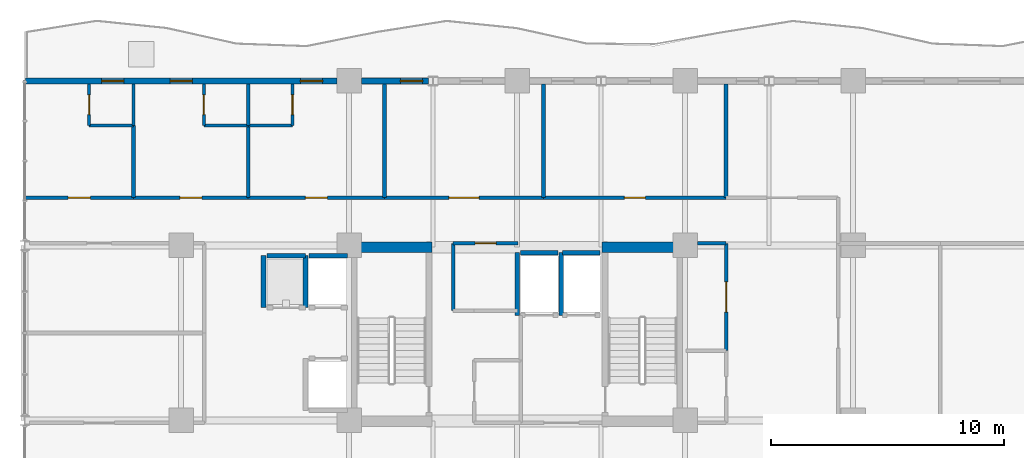
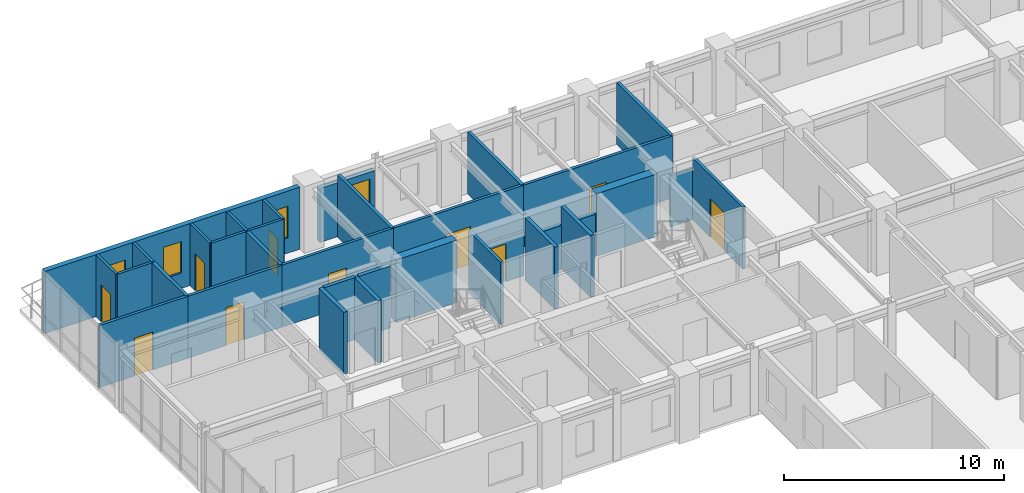
# One storey, part 14 of 20: 34 walls, 10 doors, 4 windows, 14 openings.
"""IFC4 building model written with IfcOpenShell, lengths in metres."""

import ifcopenshell
import ifcopenshell.guid

model = None  # the IFC model being written
_history = None  # IfcOwnerHistory: only IFC2X3 demands one
_inside = {}  # id of a spatial element -> (the spatial element, [elements in it])
_under = {}  # id of a project, library or spatial element -> (it, [spatial elements below it])
_declared = {}  # id of a project -> (the project, [libraries it declares])
_typed = {}  # id of a type object -> (the type object, [elements of that type])
_made_of = {}  # id of a material, layer set ... -> (it, [elements and type objects made of it])


def new_model(schema):
    """Start an empty IFC model of exactly this schema.

    Asked for "IFC4X3", IfcOpenShell would pick the latest addendum, in which some entities
    have other attributes; the version numbers below select the first issue.
    IFC2X3 requires an IfcOwnerHistory on every rooted entity: one is made here for all.
    """
    global model, _history
    if schema == "IFC4X3":
        model = ifcopenshell.file(schema_version=(4, 3, 0, 0))
    else:
        model = ifcopenshell.file(schema=schema)
    _inside.clear()
    _under.clear()
    _declared.clear()
    _typed.clear()
    _made_of.clear()
    _history = None
    if model.schema == "IFC2X3":
        org = make("IfcOrganization", Name="unknown")
        user = make(
            "IfcPersonAndOrganization",
            ThePerson=make("IfcPerson", FamilyName="unknown"),
            TheOrganization=org,
        )
        app = make(
            "IfcApplication",
            ApplicationDeveloper=org,
            Version="unknown",
            ApplicationFullName="unknown",
            ApplicationIdentifier="unknown",
        )
        _history = make(
            "IfcOwnerHistory",
            OwningUser=user,
            OwningApplication=app,
            ChangeAction="ADDED",
            CreationDate=0,
        )
    return model


def make(cls, **values):
    """One entity of the class cls with the attributes given. An attribute that is None is left unset."""
    return model.create_entity(
        cls, **{name: value for name, value in values.items() if value is not None}
    )


def rooted(cls, **values):
    """An entity with a GlobalId (a new one), such as an element, a storey or a relation."""
    return make(cls, GlobalId=ifcopenshell.guid.new(), OwnerHistory=_history, **values)


def si_unit(unit_type, name, prefix=None):
    """IfcSIUnit, for example si_unit("LENGTHUNIT", "METRE", prefix="MILLI")."""
    return make("IfcSIUnit", UnitType=unit_type, Prefix=prefix, Name=name)


def assignment(units):
    """IfcUnitAssignment: the units of a project."""
    return None if units is None else make("IfcUnitAssignment", Units=units)


def point(xyz):
    """IfcCartesianPoint."""
    return None if xyz is None else make("IfcCartesianPoint", Coordinates=xyz)


def direction(xyz):
    """IfcDirection."""
    return None if xyz is None else make("IfcDirection", DirectionRatios=xyz)


def frame(location, z_axis=None, x_axis=None):
    """IfcAxis2Placement3D, a coordinate frame: its origin and axes. An axis left out is left unset."""
    return make(
        "IfcAxis2Placement3D",
        Location=point(location),
        Axis=direction(z_axis),
        RefDirection=direction(x_axis),
    )


def frame_2d(location, x_axis=None):
    """IfcAxis2Placement2D, a coordinate frame in the plane: its origin and x axis."""
    return make(
        "IfcAxis2Placement2D", Location=point(location), RefDirection=direction(x_axis)
    )


def origin():
    """The frame at (0, 0, 0) with its axes left unset."""
    return frame((0.0, 0.0, 0.0))


def place(relative_to, where):
    """IfcLocalPlacement: puts the frame where relative to a parent placement (None: the world)."""
    return make(
        "IfcLocalPlacement", PlacementRelTo=relative_to, RelativePlacement=where
    )


def context(
    kind, dimensions, precision=None, world=None, true_north=None, identifier=None
):
    """IfcGeometricRepresentationContext, for example the 3D "Model" context."""
    return make(
        "IfcGeometricRepresentationContext",
        ContextIdentifier=identifier,
        ContextType=kind,
        CoordinateSpaceDimension=dimensions,
        Precision=precision,
        WorldCoordinateSystem=world,
        TrueNorth=true_north,
    )


def subcontext(parent, identifier, kind, view, scale=None):
    """IfcGeometricRepresentationSubContext, for example "Body" below "Model"."""
    return make(
        "IfcGeometricRepresentationSubContext",
        ContextIdentifier=identifier,
        ContextType=kind,
        ParentContext=parent,
        TargetScale=scale,
        TargetView=view,
    )


def project(units=None, contexts=None):
    """IfcProject with its units and contexts."""
    return rooted(
        "IfcProject",
        Name="project",
        RepresentationContexts=contexts,
        UnitsInContext=assignment(units),
    )


def spatial(cls, under=None, at=None, **own):
    """A site, building, storey or space (cls), placed at a placement, below another one or the project."""
    s = rooted(cls, ObjectPlacement=at, **own)
    if under is not None:
        _under.setdefault(under.id(), (under, []))[1].append(s)
    return s


def profile(cls, at=None, kind="AREA", **sizes):
    """A parametric profile (cls). Its sizes go by their IFC names, for example OverallWidth=200.0."""
    return make(cls, ProfileType=kind, Position=at, **sizes)


def rectangle(**sizes):
    """IfcRectangleProfileDef."""
    return profile("IfcRectangleProfileDef", **sizes)


def extrude(swept, where, along, depth):
    """IfcExtrudedAreaSolid: the profile swept, set in the frame where, extruded along a direction by depth."""
    return make(
        "IfcExtrudedAreaSolid",
        SweptArea=swept,
        Position=where,
        ExtrudedDirection=direction(along),
        Depth=depth,
    )


def shape(context_of_items, identifier, shape_type, items):
    """IfcShapeRepresentation: the items that make up one representation, for example the "Body"."""
    return make(
        "IfcShapeRepresentation",
        ContextOfItems=context_of_items,
        RepresentationIdentifier=identifier,
        RepresentationType=shape_type,
        Items=items,
    )


def material(Name=None, Category=None):
    """IfcMaterial."""
    return make("IfcMaterial", Name=Name, Category=Category)


def layer(
    of_material, thickness, ventilated=None, Name=None, Category=None, Priority=None
):
    """IfcMaterialLayer: one layer of a wall or slab, of a material (None: an air gap)."""
    return make(
        "IfcMaterialLayer",
        Material=of_material,
        LayerThickness=thickness,
        IsVentilated=ventilated,
        Name=Name,
        Category=Category,
        Priority=Priority,
    )


def layer_set(layers, Name=None):
    """IfcMaterialLayerSet."""
    return make("IfcMaterialLayerSet", MaterialLayers=layers, LayerSetName=Name)


def made_of(thing, what):
    """Note that an element or type object is made of a material, layer set ...; save() writes the relation."""
    if what is not None:
        _made_of.setdefault(what.id(), (what, []))[1].append(thing)
    return thing


def type_object(cls, material=None, **own):
    """A type object (cls), such as IfcWallType, which elements share."""
    return made_of(rooted(cls, **own), material)


def element(
    cls,
    number,
    at=None,
    inside=None,
    cuts=None,
    type_object=None,
    material=None,
    context=None,
    identifier="Body",
    shape_type=None,
    held_by="IfcProductDefinitionShape",
    body=None,
    shapes=None,
    **own,
):
    """One element of the class cls, such as IfcWall. Its Tag is "e" and its number.

    at: its placement. inside: the storey or other place that contains it. cuts: it is an
    opening in that element (IfcRelVoidsElement). A single representation is given by context,
    identifier, shape_type and body (its items); several are given by shapes. held_by: the class
    of the entity that holds the representations. save() writes the other relations.
    """
    e = rooted(cls, Tag="e%d" % number, ObjectPlacement=at, **own)
    if body is not None:
        shapes = [shape(context, identifier, shape_type, body)]
    if shapes is not None:
        e.Representation = make(held_by, Representations=shapes)
    if inside is not None:
        _inside.setdefault(inside.id(), (inside, []))[1].append(e)
    if cuts is not None:
        rooted(
            "IfcRelVoidsElement", RelatingBuildingElement=cuts, RelatedOpeningElement=e
        )
    if type_object is not None:
        _typed.setdefault(type_object.id(), (type_object, []))[1].append(e)
    return made_of(e, material)


def fill(opening, filler):
    """IfcRelFillsElement: the door or window that sits in an opening."""
    return rooted(
        "IfcRelFillsElement",
        RelatingOpeningElement=opening,
        RelatedBuildingElement=filler,
    )


def aggregate(whole, parts):
    """IfcRelAggregates: a whole, such as a stair, and the parts it consists of."""
    return rooted("IfcRelAggregates", RelatingObject=whole, RelatedObjects=parts)


def save(model, path):
    """Write the relations noted so far, then the file.

    IfcRelAggregates (storeys below a building ...), IfcRelContainedInSpatialStructure (elements
    in a storey), IfcRelDefinesByType, IfcRelAssociatesMaterial and IfcRelDeclares: one each for
    every whole, place, type object, material and project.
    """
    for whole, parts in _under.values():
        aggregate(whole, parts)
    for where, things in _inside.values():
        rooted(
            "IfcRelContainedInSpatialStructure",
            RelatedElements=things,
            RelatingStructure=where,
        )
    for kind, things in _typed.values():
        rooted("IfcRelDefinesByType", RelatedObjects=things, RelatingType=kind)
    for what, things in _made_of.values():
        rooted("IfcRelAssociatesMaterial", RelatedObjects=things, RelatingMaterial=what)
    for by, libraries in _declared.values():
        rooted("IfcRelDeclares", RelatingContext=by, RelatedDefinitions=libraries)
    model.write(path)


model = new_model("IFC4")

# Units and contexts
model_context = context("Model", 3, precision=1e-05, world=origin(), true_north=direction((0.0, 1.0)))
body_context = subcontext(model_context, "Body", "Model", "MODEL_VIEW")
ifc_project = project(units=[si_unit("LENGTHUNIT", "METRE"), si_unit("AREAUNIT", "SQUARE_METRE"), si_unit("VOLUMEUNIT", "CUBIC_METRE"), si_unit("PLANEANGLEUNIT", "RADIAN"), si_unit("MASSUNIT", "GRAM", prefix="KILO")], contexts=[model_context])

# Site, building, storey
site_placement = place(None, origin())
site = spatial("IfcSite", under=ifc_project, at=site_placement, CompositionType="ELEMENT")
building_placement = place(site_placement, origin())
building = spatial("IfcBuilding", under=site, at=building_placement, Name="Kaliganga Portal Commons", CompositionType="ELEMENT")
storey_placement = place(building_placement, frame((0.0, 0.0, 155.0)))
storey = spatial("IfcBuildingStorey", under=building, at=storey_placement, Name="L39", CompositionType="ELEMENT", Elevation=155.0)

# Walls
ifc_material_1 = material(Name="Concrete C60/75", Category="concrete")
ifc_layer_1 = layer(ifc_material_1, 0.449951171875)
ifc_layer_set_1 = layer_set([ifc_layer_1], Name="Concrete C60/75")
wall_type_1 = type_object("IfcWallType", Name="WL-CORE-450", PredefinedType="SHEAR", material=ifc_layer_set_1)
for number, where, z_axis, x_axis, name in (
    (1, (14.75, 36.074951171875, 0.0), (0.0, 0.0, 1.0), (1.0, 0.0, 0.0), "Core A N-West Shear Wall L39"),
    (2, (25.25, 36.074951171875, 0.0), (0.0, 0.0, 1.0), (1.0, 0.0, 0.0), "Core A N-East Shear Wall L39"),
):
    element("IfcWall", number, at=place(storey_placement, frame(where, z_axis=z_axis, x_axis=x_axis)), inside=storey, type_object=wall_type_1, Name=name, PredefinedType="SHEAR", context=body_context, shape_type="SweptSolid", body=[
        extrude(rectangle(XDim=3.199951171875, YDim=0.449951171875, at=frame_2d((1.60009765625, 0.0))), origin(), (0.0, 0.0, 1.0), 3.4599609375),
    ])

# Wall, opening, window
ifc_material_2 = material(Name="Insulated Aluminium-Clad Spandrel Assembly", Category="aluminium")
ifc_layer_2 = layer(ifc_material_2, 0.260009765625)
ifc_layer_set_2 = layer_set([ifc_layer_2], Name="Insulated Aluminium-Clad Spandrel Assembly")
wall_type_2 = type_object("IfcWallType", Name="WL-EXT-SPAND-260", PredefinedType="STANDARD", material=ifc_layer_set_2)
wall_1_placement = place(storey_placement, frame((14.926025390625, 43.199951171875, 0.0), z_axis=(0.0, 0.0, 1.0), x_axis=(1.0, 0.0, 0.0)))
wall_1 = element("IfcWall", 3, at=wall_1_placement, inside=storey, type_object=wall_type_2, Name="Exterior Envelope Wall L39 P1-E02-S8", PredefinedType="STANDARD", context=body_context, shape_type="SweptSolid", body=[
    extrude(rectangle(XDim=2.87109375, YDim=0.260009765625, at=frame_2d((1.435546875, 0.0))), origin(), (0.0, 0.0, 1.0), 2.989990234375),
])
opening_1_placement = place(wall_1_placement, frame((1.672607421875, 0.0, 0.85009765625)))
opening_1 = element("IfcOpeningElement", 4, at=opening_1_placement, cuts=wall_1, Name="Opening W-04", PredefinedType="OPENING", context=body_context, shape_type="SweptSolid", body=[
    extrude(rectangle(XDim=0.949951171875, YDim=1.75, at=frame_2d((0.47509765625, 0.875))), frame((0.0, 0.14013671875, 0.0), z_axis=(0.0, -1.0, 0.0), x_axis=(1.0, 0.0, 0.0)), (0.0, 0.0, 1.0), 0.280029296875),
])
ifc_material_3 = material(Name="Thermally Broken Aluminium and Low-E Double Glazing", Category="aluminium")
window_type = type_object("IfcWindowType", Name="WIN-NARROW-950", PartitioningType="SINGLE_PANEL", PredefinedType="WINDOW", material=ifc_material_3)
window_1_placement = place(opening_1_placement, origin())
window_1 = element("IfcWindow", 5, at=window_1_placement, inside=storey, type_object=window_type, Name="Facade Window L39-P1E02S8-N2", OverallHeight=1.75, OverallWidth=0.949951171875, PartitioningType="SINGLE_PANEL", PredefinedType="WINDOW", context=body_context, shape_type="SweptSolid", body=[
    extrude(rectangle(XDim=0.949951171875, YDim=1.75, at=frame_2d((0.47509765625, 0.875))), frame((0.0, 0.030029296875, 0.0), z_axis=(0.0, -1.0, 0.0), x_axis=(1.0, 0.0, 0.0)), (0.0, 0.0, 1.0), 0.06005859375),
])
fill(opening_1, window_1)

# Wall, openings, windows
wall_2_placement = place(storey_placement, frame((0.537109375, 43.199951171875, 0.0), z_axis=(0.0, 0.0, 1.0), x_axis=(1.0, 0.0, 0.0)))
wall_2 = element("IfcWall", 6, at=wall_2_placement, inside=storey, type_object=wall_type_2, Name="Exterior Envelope Wall L39 P1-E02-S9", PredefinedType="STANDARD", context=body_context, shape_type="SweptSolid", body=[
    extrude(rectangle(XDim=13.3369140625, YDim=0.260009765625, at=frame_2d((6.66845703125, 0.0))), origin(), (0.0, 0.0, 1.0), 3.43994140625),
])
opening_2_placement = place(wall_2_placement, frame((6.193603515625, 0.0, 0.85009765625)))
opening_2 = element("IfcOpeningElement", 7, at=opening_2_placement, cuts=wall_2, Name="Opening W-04", PredefinedType="OPENING", context=body_context, shape_type="SweptSolid", body=[
    extrude(rectangle(XDim=0.949951171875, YDim=1.75, at=frame_2d((0.47509765625, 0.875))), frame((0.0, 0.14013671875, 0.0), z_axis=(0.0, -1.0, 0.0), x_axis=(1.0, 0.0, 0.0)), (0.0, 0.0, 1.0), 0.280029296875),
])
opening_3_placement = place(wall_2_placement, frame((3.259521484375, 0.0, 0.85009765625)))
opening_3 = element("IfcOpeningElement", 8, at=opening_3_placement, cuts=wall_2, Name="Opening W-04", PredefinedType="OPENING", context=body_context, shape_type="SweptSolid", body=[
    extrude(rectangle(XDim=0.949951171875, YDim=1.75, at=frame_2d((0.47509765625, 0.875))), frame((0.0, 0.14013671875, 0.0), z_axis=(0.0, -1.0, 0.0), x_axis=(1.0, 0.0, 0.0)), (0.0, 0.0, 1.0), 0.280029296875),
])
opening_4_placement = place(wall_2_placement, frame((11.77734375, 0.0, 0.85009765625)))
opening_4 = element("IfcOpeningElement", 9, at=opening_4_placement, cuts=wall_2, Name="Opening W-04", PredefinedType="OPENING", context=body_context, shape_type="SweptSolid", body=[
    extrude(rectangle(XDim=0.949951171875, YDim=1.75, at=frame_2d((0.47509765625, 0.875))), frame((0.0, 0.14013671875, 0.0), z_axis=(0.0, -1.0, 0.0), x_axis=(1.0, 0.0, 0.0)), (0.0, 0.0, 1.0), 0.280029296875),
])
window_2_placement = place(opening_2_placement, origin())
window_2 = element("IfcWindow", 10, at=window_2_placement, inside=storey, type_object=window_type, Name="Facade Window L39-P1E02S9-N0", OverallHeight=1.75, OverallWidth=0.949951171875, PartitioningType="SINGLE_PANEL", PredefinedType="WINDOW", context=body_context, shape_type="SweptSolid", body=[
    extrude(rectangle(XDim=0.949951171875, YDim=1.75, at=frame_2d((0.47509765625, 0.875))), frame((0.0, 0.030029296875, 0.0), z_axis=(0.0, -1.0, 0.0), x_axis=(1.0, 0.0, 0.0)), (0.0, 0.0, 1.0), 0.06005859375),
])
fill(opening_2, window_2)
window_3_placement = place(opening_3_placement, origin())
window_3 = element("IfcWindow", 11, at=window_3_placement, inside=storey, type_object=window_type, Name="Facade Window L39-P1E02S9-N3", OverallHeight=1.75, OverallWidth=0.949951171875, PartitioningType="SINGLE_PANEL", PredefinedType="WINDOW", context=body_context, shape_type="SweptSolid", body=[
    extrude(rectangle(XDim=0.949951171875, YDim=1.75, at=frame_2d((0.47509765625, 0.875))), frame((0.0, 0.030029296875, 0.0), z_axis=(0.0, -1.0, 0.0), x_axis=(1.0, 0.0, 0.0)), (0.0, 0.0, 1.0), 0.06005859375),
])
fill(opening_3, window_3)
window_4_placement = place(opening_4_placement, origin())
window_4 = element("IfcWindow", 12, at=window_4_placement, inside=storey, type_object=window_type, Name="Facade Window L39-P1E02S9-AN03", OverallHeight=1.75, OverallWidth=0.949951171875, PartitioningType="SINGLE_PANEL", PredefinedType="WINDOW", context=body_context, shape_type="SweptSolid", body=[
    extrude(rectangle(XDim=0.949951171875, YDim=1.75, at=frame_2d((0.47509765625, 0.875))), frame((0.0, 0.030029296875, 0.0), z_axis=(0.0, -1.0, 0.0), x_axis=(1.0, 0.0, 0.0)), (0.0, 0.0, 1.0), 0.06005859375),
])
fill(opening_4, window_4)

# Wall, opening, door
ifc_material_4 = material(Name="Fire-Rated Gypsum Board on Steel Stud", Category="steel")
ifc_layer_3 = layer(ifc_material_4, 0.14990234375)
ifc_layer_set_3 = layer_set([ifc_layer_3], Name="Fire-Rated Gypsum Board on Steel Stud")
wall_type_3 = type_object("IfcWallType", Name="WL-PART-CORR-150", PredefinedType="PARTITIONING", material=ifc_layer_set_3)
wall_3_placement = place(storey_placement, frame((22.739990234375, 38.199951171875, 0.0), z_axis=(0.0, 0.0, 1.0), x_axis=(1.0, 0.0, 0.0)))
wall_3 = element("IfcWall", 13, at=wall_3_placement, inside=storey, type_object=wall_type_3, Name="Interior Partition L39-017", PredefinedType="PARTITIONING", context=body_context, shape_type="SweptSolid", body=[
    extrude(rectangle(XDim=7.820068359375, YDim=0.14990234375, at=frame_2d((3.91015625, 0.0))), origin(), (0.0, 0.0, 1.0), 3.43994140625),
])
opening_5_placement = place(wall_3_placement, frame((3.4599609375, 0.0, 0.0)))
opening_5 = element("IfcOpeningElement", 14, at=opening_5_placement, cuts=wall_3, Name="Opening RD-01", PredefinedType="OPENING", context=body_context, shape_type="SweptSolid", body=[
    extrude(rectangle(XDim=0.89990234375, YDim=2.080078125, at=frame_2d((0.449951171875, 1.0400390625))), frame((0.0, 0.0849609375, 0.0), z_axis=(0.0, -1.0, 0.0), x_axis=(1.0, 0.0, 0.0)), (0.0, 0.0, 1.0), 0.169921875),
])
ifc_material_5 = material(Name="Engineered Timber Flush Door", Category="wood")
door_type_1 = type_object("IfcDoorType", Name="DR-ROOM-900", OperationType="NOTDEFINED", PredefinedType="DOOR", material=ifc_material_5)
door_1_placement = place(opening_5_placement, origin())
door_1 = element("IfcDoor", 15, at=door_1_placement, inside=storey, type_object=door_type_1, Name="Interior Door L39-AN05", OperationType="SINGLE_SWING_LEFT", OverallHeight=2.080078125, OverallWidth=0.89990234375, PredefinedType="DOOR", context=body_context, shape_type="SweptSolid", body=[
    extrude(rectangle(XDim=0.89990234375, YDim=2.080078125, at=frame_2d((0.449951171875, 1.0400390625))), frame((0.0, 0.02490234375, 0.0), z_axis=(0.0, -1.0, 0.0), x_axis=(1.0, 0.0, 0.0)), (0.0, 0.0, 1.0), 0.050048828125),
])
fill(opening_5, door_1)

wall_4_placement = place(storey_placement, frame((15.919921875, 38.199951171875, 0.0), z_axis=(0.0, 0.0, 1.0), x_axis=(1.0, 0.0, 0.0)))
wall_4 = element("IfcWall", 16, at=wall_4_placement, inside=storey, type_object=wall_type_3, Name="Interior Partition L39-027", PredefinedType="PARTITIONING", context=body_context, shape_type="SweptSolid", body=[
    extrude(rectangle(XDim=6.820068359375, YDim=0.14990234375, at=frame_2d((3.41015625, 0.0))), origin(), (0.0, 0.0, 1.0), 3.43994140625),
])
opening_6_placement = place(wall_4_placement, frame((2.760009765625, 0.0, 0.0)))
opening_6 = element("IfcOpeningElement", 17, at=opening_6_placement, cuts=wall_4, Name="Opening RD-03", PredefinedType="OPENING", context=body_context, shape_type="SweptSolid", body=[
    extrude(rectangle(XDim=1.300048828125, YDim=2.1201171875, at=frame_2d((0.64990234375, 1.06005859375))), frame((0.0, 0.0849609375, 0.0), z_axis=(0.0, -1.0, 0.0), x_axis=(1.0, 0.0, 0.0)), (0.0, 0.0, 1.0), 0.169921875),
])
ifc_material_6 = material(Name="Glazed Timber Seminar Vision Door", Category="wood")
door_type_2 = type_object("IfcDoorType", Name="DR-STUDY-1300", OperationType="DOUBLE_DOOR_SINGLE_SWING", PredefinedType="DOOR", material=ifc_material_6)
door_2_placement = place(opening_6_placement, origin())
door_2 = element("IfcDoor", 18, at=door_2_placement, inside=storey, type_object=door_type_2, Name="Interior Door L39-AN04", OperationType="DOUBLE_DOOR_SINGLE_SWING", OverallHeight=2.1201171875, OverallWidth=1.300048828125, PredefinedType="DOOR", context=body_context, shape_type="SweptSolid", body=[
    extrude(rectangle(XDim=1.300048828125, YDim=2.1201171875, at=frame_2d((0.64990234375, 1.06005859375))), frame((0.0, 0.02490234375, 0.0), z_axis=(0.0, -1.0, 0.0), x_axis=(1.0, 0.0, 0.0)), (0.0, 0.0, 1.0), 0.050048828125),
])
fill(opening_6, door_2)

wall_5_placement = place(storey_placement, frame((10.080078125, 38.199951171875, 0.0), z_axis=(0.0, 0.0, 1.0), x_axis=(1.0, 0.0, 0.0)))
wall_5 = element("IfcWall", 19, at=wall_5_placement, inside=storey, type_object=wall_type_3, Name="Interior Partition L39-029", PredefinedType="PARTITIONING", context=body_context, shape_type="SweptSolid", body=[
    extrude(rectangle(XDim=5.83984375, YDim=0.14990234375, at=frame_2d((2.919921875, 0.0))), origin(), (0.0, 0.0, 1.0), 3.43994140625),
])
opening_7_placement = place(wall_5_placement, frame((2.445068359375, 0.0, 0.0)))
opening_7 = element("IfcOpeningElement", 20, at=opening_7_placement, cuts=wall_5, Name="Opening UD-01", PredefinedType="OPENING", context=body_context, shape_type="SweptSolid", body=[
    extrude(rectangle(XDim=0.949951171875, YDim=2.10009765625, at=frame_2d((0.47509765625, 1.050048828125))), frame((0.0, 0.0849609375, 0.0), z_axis=(0.0, -1.0, 0.0), x_axis=(1.0, 0.0, 0.0)), (0.0, 0.0, 1.0), 0.169921875),
])
ifc_material_7 = material(Name="Solid-Core Timber Acoustic Fire Door", Category="wood")
door_type_3 = type_object("IfcDoorType", Name="DR-UNIT-950", OperationType="NOTDEFINED", PredefinedType="DOOR", material=ifc_material_7)
door_3_placement = place(opening_7_placement, origin())
door_3 = element("IfcDoor", 21, at=door_3_placement, inside=storey, type_object=door_type_3, Name="Interior Door L39-AN03", OperationType="SINGLE_SWING_RIGHT", OverallHeight=2.10009765625, OverallWidth=0.949951171875, PredefinedType="DOOR", context=body_context, shape_type="SweptSolid", body=[
    extrude(rectangle(XDim=0.949951171875, YDim=2.10009765625, at=frame_2d((0.47509765625, 1.050048828125))), frame((0.0, 0.02490234375, 0.0), z_axis=(0.0, -1.0, 0.0), x_axis=(1.0, 0.0, 0.0)), (0.0, 0.0, 1.0), 0.050048828125),
])
fill(opening_7, door_3)

wall_6_placement = place(storey_placement, frame((5.159912109375, 38.199951171875, 0.0), z_axis=(0.0, 0.0, 1.0), x_axis=(1.0, 0.0, 0.0)))
wall_6 = element("IfcWall", 22, at=wall_6_placement, inside=storey, type_object=wall_type_3, Name="Interior Partition L39-038", PredefinedType="PARTITIONING", context=body_context, shape_type="SweptSolid", body=[
    extrude(rectangle(XDim=4.920166015625, YDim=0.14990234375, at=frame_2d((2.4599609375, 0.0))), origin(), (0.0, 0.0, 1.0), 3.43994140625),
])
opening_8_placement = place(wall_6_placement, frame((1.985107421875, 0.0, 0.0)))
opening_8 = element("IfcOpeningElement", 23, at=opening_8_placement, cuts=wall_6, Name="Opening UD-01", PredefinedType="OPENING", context=body_context, shape_type="SweptSolid", body=[
    extrude(rectangle(XDim=0.949951171875, YDim=2.10009765625, at=frame_2d((0.47509765625, 1.050048828125))), frame((0.0, 0.0849609375, 0.0), z_axis=(0.0, -1.0, 0.0), x_axis=(1.0, 0.0, 0.0)), (0.0, 0.0, 1.0), 0.169921875),
])
door_4_placement = place(opening_8_placement, origin())
door_4 = element("IfcDoor", 24, at=door_4_placement, inside=storey, type_object=door_type_3, Name="Interior Door L39-AN02", OperationType="SINGLE_SWING_RIGHT", OverallHeight=2.10009765625, OverallWidth=0.949951171875, PredefinedType="DOOR", context=body_context, shape_type="SweptSolid", body=[
    extrude(rectangle(XDim=0.949951171875, YDim=2.10009765625, at=frame_2d((0.47509765625, 1.050048828125))), frame((0.0, 0.02490234375, 0.0), z_axis=(0.0, -1.0, 0.0), x_axis=(1.0, 0.0, 0.0)), (0.0, 0.0, 1.0), 0.050048828125),
])
fill(opening_8, door_4)

wall_7_placement = place(storey_placement, frame((0.52001953125, 38.199951171875, 0.0), z_axis=(0.0, 0.0, 1.0), x_axis=(1.0, 0.0, 0.0)))
wall_7 = element("IfcWall", 25, at=wall_7_placement, inside=storey, type_object=wall_type_3, Name="Interior Partition L39-042", PredefinedType="PARTITIONING", context=body_context, shape_type="SweptSolid", body=[
    extrude(rectangle(XDim=4.639892578125, YDim=0.14990234375, at=frame_2d((2.31982421875, 0.0))), origin(), (0.0, 0.0, 1.0), 3.43994140625),
])
opening_9_placement = place(wall_7_placement, frame((1.844970703125, 0.0, 0.0)))
opening_9 = element("IfcOpeningElement", 26, at=opening_9_placement, cuts=wall_7, Name="Opening UD-01", PredefinedType="OPENING", context=body_context, shape_type="SweptSolid", body=[
    extrude(rectangle(XDim=0.949951171875, YDim=2.10009765625, at=frame_2d((0.47509765625, 1.050048828125))), frame((0.0, 0.0849609375, 0.0), z_axis=(0.0, -1.0, 0.0), x_axis=(1.0, 0.0, 0.0)), (0.0, 0.0, 1.0), 0.169921875),
])
door_5_placement = place(opening_9_placement, origin())
door_5 = element("IfcDoor", 27, at=door_5_placement, inside=storey, type_object=door_type_3, Name="Interior Door L39-AN01", OperationType="SINGLE_SWING_LEFT", OverallHeight=2.10009765625, OverallWidth=0.949951171875, PredefinedType="DOOR", context=body_context, shape_type="SweptSolid", body=[
    extrude(rectangle(XDim=0.949951171875, YDim=2.10009765625, at=frame_2d((0.47509765625, 1.050048828125))), frame((0.0, 0.02490234375, 0.0), z_axis=(0.0, -1.0, 0.0), x_axis=(1.0, 0.0, 0.0)), (0.0, 0.0, 1.0), 0.050048828125),
])
fill(opening_9, door_5)

wall_8_placement = place(storey_placement, frame((30.56005859375, 31.639892578125, 0.0), z_axis=(0.0, 0.0, 1.0), x_axis=(0.0, 1.0, 0.0)))
wall_8 = element("IfcWall", 28, at=wall_8_placement, inside=storey, type_object=wall_type_3, Name="Interior Partition L39-043", PredefinedType="PARTITIONING", context=body_context, shape_type="SweptSolid", body=[
    extrude(rectangle(XDim=4.60009765625, YDim=0.14990234375, at=frame_2d((2.300048828125, 0.0))), origin(), (0.0, 0.0, 1.0), 3.43994140625),
])
opening_10_placement = place(wall_8_placement, frame((1.64990234375, 0.0, 0.0)))
opening_10 = element("IfcOpeningElement", 29, at=opening_10_placement, cuts=wall_8, Name="Opening RD-03", PredefinedType="OPENING", context=body_context, shape_type="SweptSolid", body=[
    extrude(rectangle(XDim=1.300048828125, YDim=2.1201171875, at=frame_2d((0.64990234375, 1.06005859375))), frame((0.0, 0.0849609375, 0.0), z_axis=(0.0, -1.0, 0.0), x_axis=(1.0, 0.0, 0.0)), (0.0, 0.0, 1.0), 0.169921875),
])
door_6_placement = place(opening_10_placement, origin())
door_6 = element("IfcDoor", 30, at=door_6_placement, inside=storey, type_object=door_type_2, Name="Interior Door L39-CSRV_A2", OperationType="DOUBLE_DOOR_SINGLE_SWING", OverallHeight=2.1201171875, OverallWidth=1.300048828125, PredefinedType="DOOR", context=body_context, shape_type="SweptSolid", body=[
    extrude(rectangle(XDim=1.300048828125, YDim=2.1201171875, at=frame_2d((0.64990234375, 1.06005859375))), frame((0.0, 0.02490234375, 0.0), z_axis=(0.0, -1.0, 0.0), x_axis=(1.0, 0.0, 0.0)), (0.0, 0.0, 1.0), 0.050048828125),
])
fill(opening_10, door_6)

# Wall
wall_9_placement = place(storey_placement, frame((18.860107421875, 33.360107421875, 0.0), z_axis=(0.0, 0.0, 1.0), x_axis=(0.0, 1.0, 0.0)))
element("IfcWall", 31, at=wall_9_placement, inside=storey, type_object=wall_type_3, Name="Interior Partition L39-052", PredefinedType="PARTITIONING", context=body_context, shape_type="SweptSolid", body=[
    extrude(rectangle(XDim=2.8798828125, YDim=0.14990234375, at=frame_2d((1.43994140625, 0.0))), origin(), (0.0, 0.0, 1.0), 3.43994140625),
])

# Wall, opening, door
wall_10_placement = place(storey_placement, frame((18.860107421875, 36.239990234375, 0.0), z_axis=(0.0, 0.0, 1.0), x_axis=(1.0, 0.0, 0.0)))
wall_10 = element("IfcWall", 32, at=wall_10_placement, inside=storey, type_object=wall_type_3, Name="Interior Partition L39-053", PredefinedType="PARTITIONING", context=body_context, shape_type="SweptSolid", body=[
    extrude(rectangle(XDim=2.77978515625, YDim=0.14990234375, at=frame_2d((1.389892578125, 0.0))), origin(), (0.0, 0.0, 1.0), 2.43994140625),
])
opening_11_placement = place(wall_10_placement, frame((0.93994140625, 0.0, 0.0)))
opening_11 = element("IfcOpeningElement", 33, at=opening_11_placement, cuts=wall_10, Name="Opening RD-01", PredefinedType="OPENING", context=body_context, shape_type="SweptSolid", body=[
    extrude(rectangle(XDim=0.89990234375, YDim=2.080078125, at=frame_2d((0.449951171875, 1.0400390625))), frame((0.0, 0.0849609375, 0.0), z_axis=(0.0, -1.0, 0.0), x_axis=(1.0, 0.0, 0.0)), (0.0, 0.0, 1.0), 0.169921875),
])
door_7_placement = place(opening_11_placement, origin())
door_7 = element("IfcDoor", 34, at=door_7_placement, inside=storey, type_object=door_type_1, Name="Interior Door L39-CREC_A1", OperationType="SINGLE_SWING_LEFT", OverallHeight=2.080078125, OverallWidth=0.89990234375, PredefinedType="DOOR", context=body_context, shape_type="SweptSolid", body=[
    extrude(rectangle(XDim=0.89990234375, YDim=2.080078125, at=frame_2d((0.449951171875, 1.0400390625))), frame((0.0, 0.02490234375, 0.0), z_axis=(0.0, -1.0, 0.0), x_axis=(1.0, 0.0, 0.0)), (0.0, 0.0, 1.0), 0.050048828125),
])
fill(opening_11, door_7)

# Walls
wall_11_placement = place(storey_placement, frame((29.324951171875, 36.239990234375, 0.0), z_axis=(0.0, 0.0, 1.0), x_axis=(1.0, 0.0, 0.0)))
element("IfcWall", 35, at=wall_11_placement, inside=storey, type_object=wall_type_3, Name="Interior Partition L39-066", PredefinedType="PARTITIONING", context=body_context, shape_type="SweptSolid", body=[
    extrude(rectangle(XDim=1.235107421875, YDim=0.14990234375, at=frame_2d((0.61767578125, 0.0))), origin(), (0.0, 0.0, 1.0), 2.840087890625),
])
ifc_material_8 = material(Name="Twin-Stud Acoustic Gypsum Partition", Category="gypsum")
ifc_layer_4 = layer(ifc_material_8, 0.1650390625)
ifc_layer_set_4 = layer_set([ifc_layer_4], Name="Twin-Stud Acoustic Gypsum Partition")
wall_type_4 = type_object("IfcWallType", Name="WL-PART-UNIT-165", PredefinedType="PARTITIONING", material=ifc_layer_set_4)
for number, where, z_axis, x_axis, name in (
    (36, (15.919921875, 38.199951171875, 0.0), (0.0, 0.0, 1.0), (0.0, 1.0, 0.0), "Interior Partition L39-078"),
    (37, (22.739990234375, 38.199951171875, 0.0), (0.0, 0.0, 1.0), (0.0, 1.0, 0.0), "Interior Partition L39-080"),
    (38, (30.56005859375, 38.199951171875, 0.0), (0.0, 0.0, 1.0), (0.0, 1.0, 0.0), "Interior Partition L39-081"),
):
    element("IfcWall", number, at=place(storey_placement, frame(where, z_axis=z_axis, x_axis=x_axis)), inside=storey, type_object=wall_type_4, Name=name, PredefinedType="PARTITIONING", context=body_context, shape_type="SweptSolid", body=[
        extrude(rectangle(XDim=4.8681640625, YDim=0.1650390625, at=frame_2d((2.43408203125, 0.0))), origin(), (0.0, 0.0, 1.0), 3.43994140625),
    ])
for number, where, z_axis, x_axis, name in (
    (39, (5.159912109375, 38.199951171875, 0.0), (0.0, 0.0, 1.0), (0.0, 1.0, 0.0), "Interior Partition L39-090"),
    (40, (10.080078125, 38.199951171875, 0.0), (0.0, 0.0, 1.0), (0.0, 1.0, 0.0), "Interior Partition L39-091"),
):
    element("IfcWall", number, at=place(storey_placement, frame(where, z_axis=z_axis, x_axis=x_axis)), inside=storey, type_object=wall_type_4, Name=name, PredefinedType="PARTITIONING", context=body_context, shape_type="SweptSolid", body=[
        extrude(rectangle(XDim=3.10009765625, YDim=0.1650390625, at=frame_2d((1.550048828125, 0.0))), origin(), (0.0, 0.0, 1.0), 3.43994140625),
    ])

# Wall, opening, door
ifc_material_9 = material(Name="Cement-Board Wet-Room Partition", Category="gypsum")
ifc_layer_5 = layer(ifc_material_9, 0.135009765625)
ifc_layer_set_5 = layer_set([ifc_layer_5], Name="Cement-Board Wet-Room Partition")
wall_type_5 = type_object("IfcWallType", Name="WL-PART-WET-135", PredefinedType="PARTITIONING", material=ifc_layer_set_5)
wall_12_placement = place(storey_placement, frame((3.260009765625, 41.300048828125, 0.0), z_axis=(0.0, 0.0, 1.0), x_axis=(0.0, 1.0, 0.0)))
wall_12 = element("IfcWall", 41, at=wall_12_placement, inside=storey, type_object=wall_type_5, Name="Interior Partition L39-001", PredefinedType="PARTITIONING", context=body_context, shape_type="SweptSolid", body=[
    extrude(rectangle(XDim=1.76806640625, YDim=0.135009765625, at=frame_2d((0.884033203125, 0.0))), origin(), (0.0, 0.0, 1.0), 3.43994140625),
])
opening_12_placement = place(wall_12_placement, frame((0.458984375, 0.0, 0.0)))
opening_12 = element("IfcOpeningElement", 42, at=opening_12_placement, cuts=wall_12, Name="Opening WD-01", PredefinedType="OPENING", context=body_context, shape_type="SweptSolid", body=[
    extrude(rectangle(XDim=0.85009765625, YDim=2.0400390625, at=frame_2d((0.425048828125, 1.02001953125))), frame((0.0, 0.07763671875, 0.0), z_axis=(0.0, -1.0, 0.0), x_axis=(1.0, 0.0, 0.0)), (0.0, 0.0, 1.0), 0.155029296875),
])
ifc_material_10 = material(Name="Moisture-Resistant Laminate Timber Door", Category="wood")
door_type_4 = type_object("IfcDoorType", Name="DR-WET-850", OperationType="NOTDEFINED", PredefinedType="DOOR", material=ifc_material_10)
door_8_placement = place(opening_12_placement, origin())
door_8 = element("IfcDoor", 43, at=door_8_placement, inside=storey, type_object=door_type_4, Name="Interior Door L39-AN01E", OperationType="SINGLE_SWING_RIGHT", OverallHeight=2.0400390625, OverallWidth=0.85009765625, PredefinedType="DOOR", context=body_context, shape_type="SweptSolid", body=[
    extrude(rectangle(XDim=0.85009765625, YDim=2.0400390625, at=frame_2d((0.425048828125, 1.02001953125))), frame((0.0, 0.02490234375, 0.0), z_axis=(0.0, -1.0, 0.0), x_axis=(1.0, 0.0, 0.0)), (0.0, 0.0, 1.0), 0.050048828125),
])
fill(opening_12, door_8)

# Wall
wall_13_placement = place(storey_placement, frame((5.159912109375, 41.300048828125, 0.0), z_axis=(0.0, 0.0, 1.0), x_axis=(0.0, 1.0, 0.0)))
element("IfcWall", 44, at=wall_13_placement, inside=storey, type_object=wall_type_5, Name="Interior Partition L39-002", PredefinedType="PARTITIONING", context=body_context, shape_type="SweptSolid", body=[
    extrude(rectangle(XDim=1.76806640625, YDim=0.135009765625, at=frame_2d((0.884033203125, 0.0))), origin(), (0.0, 0.0, 1.0), 3.43994140625),
])

# Wall, opening, door
wall_14_placement = place(storey_placement, frame((8.179931640625, 41.300048828125, 0.0), z_axis=(0.0, 0.0, 1.0), x_axis=(0.0, 1.0, 0.0)))
wall_14 = element("IfcWall", 45, at=wall_14_placement, inside=storey, type_object=wall_type_5, Name="Interior Partition L39-003", PredefinedType="PARTITIONING", context=body_context, shape_type="SweptSolid", body=[
    extrude(rectangle(XDim=1.76806640625, YDim=0.135009765625, at=frame_2d((0.884033203125, 0.0))), origin(), (0.0, 0.0, 1.0), 3.43994140625),
])
opening_13_placement = place(wall_14_placement, frame((0.458984375, 0.0, 0.0)))
opening_13 = element("IfcOpeningElement", 46, at=opening_13_placement, cuts=wall_14, Name="Opening WD-01", PredefinedType="OPENING", context=body_context, shape_type="SweptSolid", body=[
    extrude(rectangle(XDim=0.85009765625, YDim=2.0400390625, at=frame_2d((0.425048828125, 1.02001953125))), frame((0.0, 0.07763671875, 0.0), z_axis=(0.0, -1.0, 0.0), x_axis=(1.0, 0.0, 0.0)), (0.0, 0.0, 1.0), 0.155029296875),
])
door_9_placement = place(opening_13_placement, origin())
door_9 = element("IfcDoor", 47, at=door_9_placement, inside=storey, type_object=door_type_4, Name="Interior Door L39-AN02E", OperationType="SINGLE_SWING_LEFT", OverallHeight=2.0400390625, OverallWidth=0.85009765625, PredefinedType="DOOR", context=body_context, shape_type="SweptSolid", body=[
    extrude(rectangle(XDim=0.85009765625, YDim=2.0400390625, at=frame_2d((0.425048828125, 1.02001953125))), frame((0.0, 0.02490234375, 0.0), z_axis=(0.0, -1.0, 0.0), x_axis=(1.0, 0.0, 0.0)), (0.0, 0.0, 1.0), 0.050048828125),
])
fill(opening_13, door_9)

# Wall
wall_15_placement = place(storey_placement, frame((10.080078125, 41.300048828125, 0.0), z_axis=(0.0, 0.0, 1.0), x_axis=(0.0, 1.0, 0.0)))
element("IfcWall", 48, at=wall_15_placement, inside=storey, type_object=wall_type_5, Name="Interior Partition L39-004", PredefinedType="PARTITIONING", context=body_context, shape_type="SweptSolid", body=[
    extrude(rectangle(XDim=1.76806640625, YDim=0.135009765625, at=frame_2d((0.884033203125, 0.0))), origin(), (0.0, 0.0, 1.0), 3.43994140625),
])

# Wall, opening, door
wall_16_placement = place(storey_placement, frame((11.97998046875, 41.300048828125, 0.0), z_axis=(0.0, 0.0, 1.0), x_axis=(0.0, 1.0, 0.0)))
wall_16 = element("IfcWall", 49, at=wall_16_placement, inside=storey, type_object=wall_type_5, Name="Interior Partition L39-005", PredefinedType="PARTITIONING", context=body_context, shape_type="SweptSolid", body=[
    extrude(rectangle(XDim=1.76806640625, YDim=0.135009765625, at=frame_2d((0.884033203125, 0.0))), origin(), (0.0, 0.0, 1.0), 3.43994140625),
])
opening_14_placement = place(wall_16_placement, frame((0.458984375, 0.0, 0.0)))
opening_14 = element("IfcOpeningElement", 50, at=opening_14_placement, cuts=wall_16, Name="Opening WD-01", PredefinedType="OPENING", context=body_context, shape_type="SweptSolid", body=[
    extrude(rectangle(XDim=0.85009765625, YDim=2.0400390625, at=frame_2d((0.425048828125, 1.02001953125))), frame((0.0, 0.07763671875, 0.0), z_axis=(0.0, -1.0, 0.0), x_axis=(1.0, 0.0, 0.0)), (0.0, 0.0, 1.0), 0.155029296875),
])
door_10_placement = place(opening_14_placement, origin())
door_10 = element("IfcDoor", 51, at=door_10_placement, inside=storey, type_object=door_type_4, Name="Interior Door L39-AN03E", OperationType="SINGLE_SWING_RIGHT", OverallHeight=2.0400390625, OverallWidth=0.85009765625, PredefinedType="DOOR", context=body_context, shape_type="SweptSolid", body=[
    extrude(rectangle(XDim=0.85009765625, YDim=2.0400390625, at=frame_2d((0.425048828125, 1.02001953125))), frame((0.0, 0.02490234375, 0.0), z_axis=(0.0, -1.0, 0.0), x_axis=(1.0, 0.0, 0.0)), (0.0, 0.0, 1.0), 0.050048828125),
])
fill(opening_14, door_10)

# Walls
wall_17_placement = place(storey_placement, frame((3.260009765625, 41.300048828125, 0.0), z_axis=(0.0, 0.0, 1.0), x_axis=(1.0, 0.0, 0.0)))
element("IfcWall", 52, at=wall_17_placement, inside=storey, type_object=wall_type_5, Name="Interior Partition L39-007", PredefinedType="PARTITIONING", context=body_context, shape_type="SweptSolid", body=[
    extrude(rectangle(XDim=1.89990234375, YDim=0.135009765625, at=frame_2d((0.949951171875, 0.0))), origin(), (0.0, 0.0, 1.0), 3.43994140625),
])
wall_18_placement = place(storey_placement, frame((8.179931640625, 41.300048828125, 0.0), z_axis=(0.0, 0.0, 1.0), x_axis=(1.0, 0.0, 0.0)))
element("IfcWall", 53, at=wall_18_placement, inside=storey, type_object=wall_type_5, Name="Interior Partition L39-008", PredefinedType="PARTITIONING", context=body_context, shape_type="SweptSolid", body=[
    extrude(rectangle(XDim=1.900146484375, YDim=0.135009765625, at=frame_2d((0.9501953125, 0.0))), origin(), (0.0, 0.0, 1.0), 3.43994140625),
])
wall_19_placement = place(storey_placement, frame((10.080078125, 41.300048828125, 0.0), z_axis=(0.0, 0.0, 1.0), x_axis=(1.0, 0.0, 0.0)))
element("IfcWall", 54, at=wall_19_placement, inside=storey, type_object=wall_type_5, Name="Interior Partition L39-009", PredefinedType="PARTITIONING", context=body_context, shape_type="SweptSolid", body=[
    extrude(rectangle(XDim=1.89990234375, YDim=0.135009765625, at=frame_2d((0.949951171875, 0.0))), origin(), (0.0, 0.0, 1.0), 3.43994140625),
])
ifc_material_11 = material(Name="Fire-Rated Shaftwall Masonry Assembly", Category="masonry")
ifc_layer_6 = layer(ifc_material_11, 0.199951171875)
ifc_layer_set_6 = layer_set([ifc_layer_6], Name="Fire-Rated Shaftwall Masonry Assembly")
wall_type_6 = type_object("IfcWallType", Name="WL-SHAFT-200", PredefinedType="PARTITIONING", material=ifc_layer_set_6)
wall_20_placement = place(storey_placement, frame((12.675048828125, 35.715087890625, 0.0), z_axis=(0.0, 0.0, 1.0), x_axis=(1.0, 0.0, 0.0)))
element("IfcWall", 55, at=wall_20_placement, inside=storey, type_object=wall_type_6, Name="Lift PL-A3 Hoistway Shaft Wall L39-N", PredefinedType="PARTITIONING", context=body_context, shape_type="SweptSolid", body=[
    extrude(rectangle(XDim=1.64990234375, YDim=0.199951171875, at=frame_2d((0.824951171875, 0.0))), origin(), (0.0, 0.0, 1.0), 3.43994140625),
])
wall_21_placement = place(storey_placement, frame((12.534912109375, 33.485107421875, 0.0), z_axis=(0.0, 0.0, 1.0), x_axis=(0.0, 1.0, 0.0)))
element("IfcWall", 56, at=wall_21_placement, inside=storey, type_object=wall_type_6, Name="Lift PL-A3 Hoistway Shaft Wall L39-W", PredefinedType="PARTITIONING", context=body_context, shape_type="SweptSolid", body=[
    extrude(rectangle(XDim=2.22998046875, YDim=0.199951171875, at=frame_2d((1.114990234375, 0.0))), origin(), (0.0, 0.0, 1.0), 3.43994140625),
])
wall_22_placement = place(storey_placement, frame((10.875, 35.715087890625, 0.0), z_axis=(0.0, 0.0, 1.0), x_axis=(1.0, 0.0, 0.0)))
element("IfcWall", 57, at=wall_22_placement, inside=storey, type_object=wall_type_6, Name="Lift PL-OBS Hoistway Shaft Wall L39-N", PredefinedType="PARTITIONING", context=body_context, shape_type="SweptSolid", body=[
    extrude(rectangle(XDim=1.64990234375, YDim=0.199951171875, at=frame_2d((0.824951171875, 0.0))), origin(), (0.0, 0.0, 1.0), 3.43994140625),
])
wall_23_placement = place(storey_placement, frame((10.735107421875, 33.485107421875, 0.0), z_axis=(0.0, 0.0, 1.0), x_axis=(0.0, 1.0, 0.0)))
element("IfcWall", 58, at=wall_23_placement, inside=storey, type_object=wall_type_6, Name="Lift PL-OBS Hoistway Shaft Wall L39-W", PredefinedType="PARTITIONING", context=body_context, shape_type="SweptSolid", body=[
    extrude(rectangle(XDim=2.22998046875, YDim=0.199951171875, at=frame_2d((1.114990234375, 0.0))), origin(), (0.0, 0.0, 1.0), 3.43994140625),
])
wall_24_placement = place(storey_placement, frame((21.75, 35.840087890625, 0.0), z_axis=(0.0, 0.0, 1.0), x_axis=(1.0, 0.0, 0.0)))
element("IfcWall", 59, at=wall_24_placement, inside=storey, type_object=wall_type_6, Name="Lift FFL-1 Hoistway Shaft Wall L39-N", PredefinedType="PARTITIONING", context=body_context, shape_type="SweptSolid", body=[
    extrude(rectangle(XDim=1.60009765625, YDim=0.199951171875, at=frame_2d((0.800048828125, 0.0))), origin(), (0.0, 0.0, 1.0), 2.43994140625),
])
for number, where, z_axis, x_axis, name in (
    (60, (21.610107421875, 33.159912109375, 0.0), (0.0, 0.0, 1.0), (0.0, 1.0, 0.0), "Lift FFL-1 Hoistway Shaft Wall L39-W"),
    (61, (23.489990234375, 33.159912109375, 0.0), (0.0, 0.0, 1.0), (0.0, 1.0, 0.0), "Lift FFL-1 Hoistway Shaft Wall L39-E"),
):
    element("IfcWall", number, at=place(storey_placement, frame(where, z_axis=z_axis, x_axis=x_axis)), inside=storey, type_object=wall_type_6, Name=name, PredefinedType="PARTITIONING", context=body_context, shape_type="SweptSolid", body=[
        extrude(rectangle(XDim=2.68017578125, YDim=0.199951171875, at=frame_2d((1.340087890625, 0.0))), origin(), (0.0, 0.0, 1.0), 3.43994140625),
    ])
wall_25_placement = place(storey_placement, frame((23.550048828125, 35.840087890625, 0.0), z_axis=(0.0, 0.0, 1.0), x_axis=(1.0, 0.0, 0.0)))
element("IfcWall", 62, at=wall_25_placement, inside=storey, type_object=wall_type_6, Name="Lift FFL-2 Hoistway Shaft Wall L39-N", PredefinedType="PARTITIONING", context=body_context, shape_type="SweptSolid", body=[
    extrude(rectangle(XDim=1.599853515625, YDim=0.199951171875, at=frame_2d((0.7998046875, 0.0))), origin(), (0.0, 0.0, 1.0), 2.43994140625),
])

save(model, "model.ifc")
